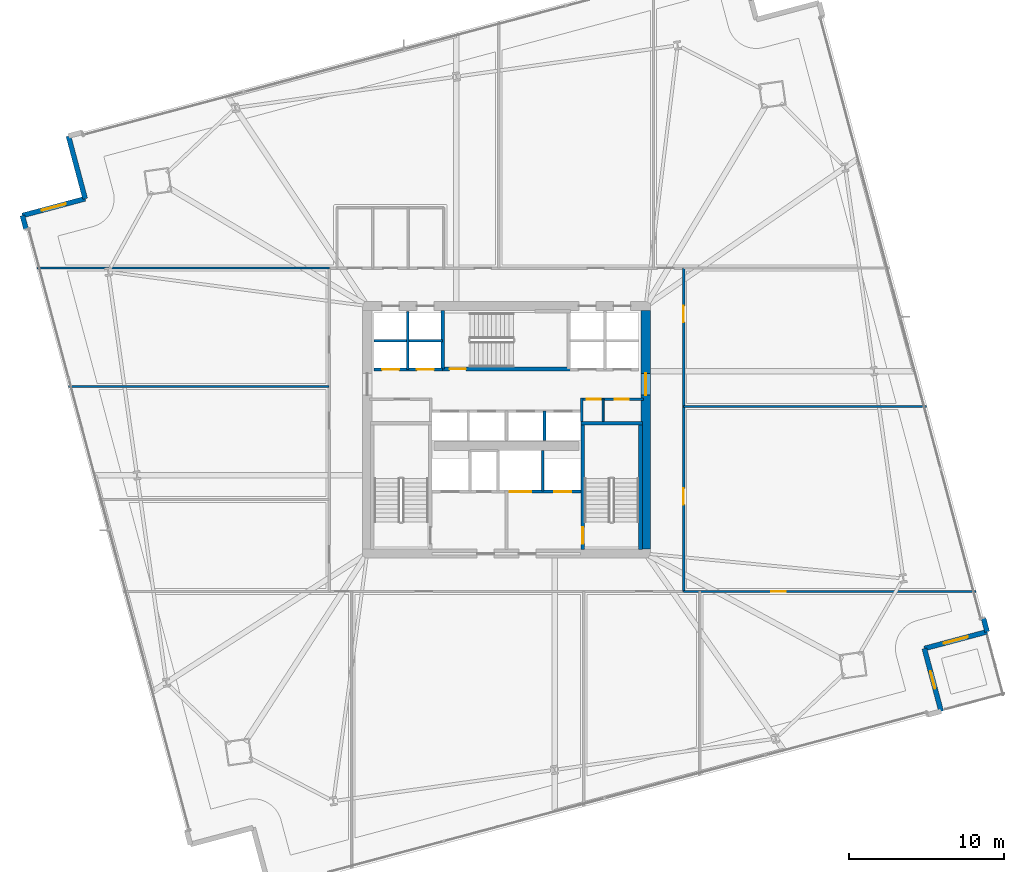
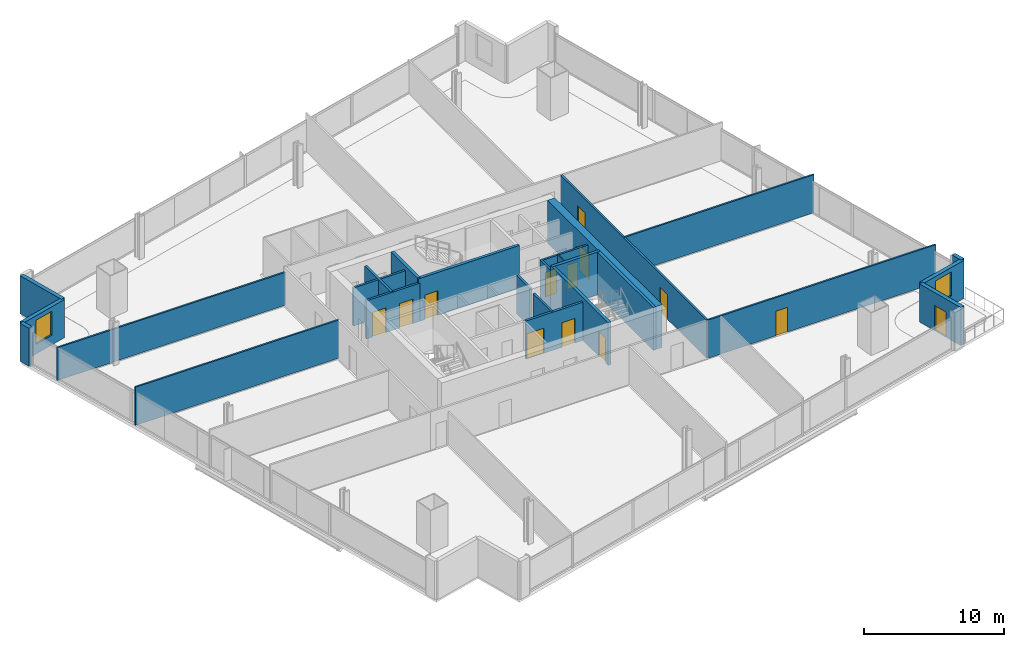
# One storey, part 26 of 33: 26 walls, 13 doors, 2 windows, 15 openings.
"""IFC4 building model written with IfcOpenShell, lengths in metres."""

from ifc_helpers import new_model, si_unit, direction, frame, frame_2d, origin, place, context, subcontext, project, spatial, rectangle, extrude, material, layer, layer_set, type_object, element, fill, save


model = new_model("IFC4")

# Units and contexts
model_context = context("Model", 3, precision=1e-05, world=origin(), true_north=direction((0.0, 1.0)))
body_context = subcontext(model_context, "Body", "Model", "MODEL_VIEW")
ifc_project = project(units=[si_unit("LENGTHUNIT", "METRE"), si_unit("AREAUNIT", "SQUARE_METRE"), si_unit("VOLUMEUNIT", "CUBIC_METRE"), si_unit("PLANEANGLEUNIT", "RADIAN"), si_unit("MASSUNIT", "GRAM", prefix="KILO")], contexts=[model_context])

# Site, building, storey
site_placement = place(None, origin())
site = spatial("IfcSite", under=ifc_project, at=site_placement, CompositionType="ELEMENT")
building_placement = place(site_placement, origin())
building = spatial("IfcBuilding", under=site, at=building_placement, Name="Haldenkirk Collegiate Tower", CompositionType="ELEMENT")
storey_placement = place(building_placement, frame((0.0, 0.0, 77.699951171875)))
storey = spatial("IfcBuildingStorey", under=building, at=storey_placement, Name="L18", CompositionType="ELEMENT", Elevation=77.699951171875)

# Wall, opening, door
ifc_material_1 = material(Name="Concrete f'c 70 MPa", Category="concrete")
ifc_layer_1 = layer(ifc_material_1, 0.60009765625)
ifc_layer_set_1 = layer_set([ifc_layer_1], Name="Concrete f'c 70 MPa")
wall_type_1 = type_object("IfcWallType", Name="WL-CORE-600", PredefinedType="SHEAR", material=ifc_layer_set_1)
wall_1_placement = place(storey_placement, frame((45.0, 18.300048828125, 0.0), z_axis=(0.0, 0.0, 1.0), x_axis=(0.0, 1.0, 0.0)))
wall_1 = element("IfcWall", 1, at=wall_1_placement, inside=storey, type_object=wall_type_1, Name="L18 central core shear wall E", PredefinedType="SHEAR", context=body_context, shape_type="SweptSolid", body=[
    extrude(rectangle(XDim=15.39990234375, YDim=0.60009765625, at=frame_2d((7.699951171875, 0.0))), origin(), (0.0, 0.0, 1.0), 3.75),
])
opening_1_placement = place(wall_1_placement, frame((9.93994140625, 0.0, 0.0)))
opening_1 = element("IfcOpeningElement", 2, at=opening_1_placement, cuts=wall_1, Name="Opening D-03", PredefinedType="OPENING", context=body_context, shape_type="SweptSolid", body=[
    extrude(rectangle(XDim=1.39990234375, YDim=2.199951171875, at=frame_2d((0.699951171875, 1.10009765625))), frame((0.0, 0.31005859375, 0.0), z_axis=(0.0, -1.0, 0.0), x_axis=(1.0, 0.0, 0.0)), (0.0, 0.0, 1.0), 0.6201171875),
])
ifc_material_2 = material(Name="Galvanized fire-rated hollow steel door", Category="steel")
ifc_layer_2 = layer(ifc_material_2, 0.06005859375)
ifc_layer_set_2 = layer_set([ifc_layer_2], Name="Galvanized fire-rated hollow steel door")
door_type_1 = type_object("IfcDoorType", Name="DR-LOBBY-FD90-1400", OperationType="NOTDEFINED", PredefinedType="DOOR", material=ifc_layer_set_2)
door_1_placement = place(opening_1_placement, origin())
door_1 = element("IfcDoor", 3, at=door_1_placement, inside=storey, type_object=door_type_1, Name="L18 east lift lobby portal", OperationType="DOUBLE_DOOR_SINGLE_SWING", OverallHeight=2.199951171875, OverallWidth=1.39990234375, PredefinedType="DOOR", context=body_context, shape_type="SweptSolid", body=[
    extrude(rectangle(XDim=1.39990234375, YDim=2.199951171875, at=frame_2d((0.699951171875, 1.10009765625))), frame((0.0, 0.02490234375, 0.0), z_axis=(0.0, -1.0, 0.0), x_axis=(1.0, 0.0, 0.0)), (0.0, 0.0, 1.0), 0.050048828125),
])
fill(opening_1, door_1)

ifc_material_3 = material(Name="Precast concrete f'c 40 MPa", Category="concrete")
ifc_layer_3 = layer(ifc_material_3, 0.320068359375)
ifc_layer_set_3 = layer_set([ifc_layer_3], Name="Precast concrete f'c 40 MPa")
wall_type_2 = type_object("IfcWallType", Name="WL-EXT-TWR-320", PredefinedType="STANDARD", material=ifc_layer_set_3)
wall_2_placement = place(storey_placement, frame((63.010986328125, 11.86474609375, 0.0), z_axis=(0.0, 0.0, 1.0), x_axis=(0.257973780849, -0.966151917865, 0.0)))
wall_2 = element("IfcWall", 4, at=wall_2_placement, inside=storey, type_object=wall_type_2, Name="L18 bronze precast notch wall 02", PredefinedType="STANDARD", context=body_context, shape_type="SweptSolid", body=[
    extrude(rectangle(XDim=4.199951171875, YDim=0.320068359375, at=frame_2d((2.10009765625, 0.0))), origin(), (0.0, 0.0, 1.0), 3.340087890625),
])
opening_2_placement = place(wall_2_placement, frame((1.52490234375, 0.0, 0.0)))
opening_2 = element("IfcOpeningElement", 5, at=opening_2_placement, cuts=wall_2, Name="Opening D-ST11", PredefinedType="OPENING", context=body_context, shape_type="SweptSolid", body=[
    extrude(rectangle(XDim=1.14990234375, YDim=2.199951171875, at=frame_2d((0.574951171875, 1.10009765625))), frame((0.0, 0.169921875, 0.0), z_axis=(0.0, -1.0, 0.0), x_axis=(1.0, 0.0, 0.0)), (0.0, 0.0, 1.0), 0.340087890625),
])
ifc_material_4 = material(Name="Anodised architectural bronze aluminium", Category="aluminium")
ifc_layer_4 = layer(ifc_material_4, 0.080078125)
ifc_layer_set_4 = layer_set([ifc_layer_4], Name="Anodised architectural bronze aluminium")
door_type_2 = type_object("IfcDoorType", Name="DR-EXT-STER-1150", OperationType="NOTDEFINED", PredefinedType="DOOR", material=ifc_layer_set_4)
door_2_placement = place(opening_2_placement, origin())
door_2 = element("IfcDoor", 6, at=door_2_placement, inside=storey, type_object=door_type_2, Name="L18 spiralling terrace door", OperationType="SINGLE_SWING_LEFT", OverallHeight=2.199951171875, OverallWidth=1.14990234375, PredefinedType="DOOR", context=body_context, shape_type="SweptSolid", body=[
    extrude(rectangle(XDim=1.14990234375, YDim=2.199951171875, at=frame_2d((0.574951171875, 1.10009765625))), frame((0.0, 0.02490234375, 0.0), z_axis=(0.0, -1.0, 0.0), x_axis=(1.0, 0.0, 0.0)), (0.0, 0.0, 1.0), 0.050048828125),
])
fill(opening_2, door_2)

# Wall, opening, window
wall_3_placement = place(storey_placement, frame((67.068603515625, 12.9482421875, 0.0), z_axis=(0.0, 0.0, 1.0), x_axis=(-0.966148049068, -0.257988269661, 0.0)))
wall_3 = element("IfcWall", 7, at=wall_3_placement, inside=storey, type_object=wall_type_2, Name="L18 bronze precast notch wall 03", PredefinedType="STANDARD", context=body_context, shape_type="SweptSolid", body=[
    extrude(rectangle(XDim=4.19970703125, YDim=0.320068359375, at=frame_2d((2.099853515625, 0.0))), origin(), (0.0, 0.0, 1.0), 3.340087890625),
])
opening_3_placement = place(wall_3_placement, frame((1.300048828125, 0.0, 0.85009765625)))
opening_3 = element("IfcOpeningElement", 8, at=opening_3_placement, cuts=wall_3, Name="Opening W-03", PredefinedType="OPENING", context=body_context, shape_type="SweptSolid", body=[
    extrude(rectangle(XDim=1.60009765625, YDim=2.10009765625, at=frame_2d((0.800048828125, 1.050048828125))), frame((0.0, 0.169921875, 0.0), z_axis=(0.0, -1.0, 0.0), x_axis=(1.0, 0.0, 0.0)), (0.0, 0.0, 1.0), 0.340087890625),
])
ifc_material_5 = material(Name="Low-E argon triple insulating glass", Category="glass")
ifc_layer_5 = layer(ifc_material_5, 0.090087890625)
ifc_layer_set_5 = layer_set([ifc_layer_5], Name="Low-E argon triple insulating glass")
window_type = type_object("IfcWindowType", Name="WN-Z1-1600X2100", PartitioningType="SINGLE_PANEL", PredefinedType="WINDOW", material=ifc_layer_set_5)
window_1_placement = place(opening_3_placement, origin())
window_1 = element("IfcWindow", 9, at=window_1_placement, inside=storey, type_object=window_type, Name="L18 precast-frame academic window 2", OverallHeight=2.10009765625, OverallWidth=1.60009765625, PartitioningType="SINGLE_PANEL", PredefinedType="WINDOW", context=body_context, shape_type="SweptSolid", body=[
    extrude(rectangle(XDim=1.60009765625, YDim=2.10009765625, at=frame_2d((0.800048828125, 1.050048828125))), frame((0.0, 0.030029296875, 0.0), z_axis=(0.0, -1.0, 0.0), x_axis=(1.0, 0.0, 0.0)), (0.0, 0.0, 1.0), 0.06005859375),
])
fill(opening_3, window_1)

# Walls
wall_4_placement = place(storey_placement, frame((66.83642578125, 13.817626953125, 0.0), z_axis=(0.0, 0.0, 1.0), x_axis=(0.258017251994, -0.966140309517, 0.0)))
element("IfcWall", 10, at=wall_4_placement, inside=storey, type_object=wall_type_2, Name="L18 precast corner pier ER", PredefinedType="STANDARD", context=body_context, shape_type="SweptSolid", body=[
    extrude(rectangle(XDim=0.89990234375, YDim=0.320068359375, at=frame_2d((0.449951171875, 0.0))), origin(), (0.0, 0.0, 1.0), 3.340087890625),
])
wall_5_placement = place(storey_placement, frame((8.7763671875, 40.932373046875, 0.0), z_axis=(0.0, 0.0, 1.0), x_axis=(-0.257973780849, 0.966151917865, 0.0)))
element("IfcWall", 11, at=wall_5_placement, inside=storey, type_object=wall_type_2, Name="L18 bronze precast notch wall 08", PredefinedType="STANDARD", context=body_context, shape_type="SweptSolid", body=[
    extrude(rectangle(XDim=4.199951171875, YDim=0.320068359375, at=frame_2d((2.10009765625, 0.0))), origin(), (0.0, 0.0, 1.0), 3.340087890625),
])

# Wall, opening, window
wall_6_placement = place(storey_placement, frame((4.718505859375, 39.848876953125, 0.0), z_axis=(0.0, 0.0, 1.0), x_axis=(0.966151917865, 0.257973780849, 0.0)))
wall_6 = element("IfcWall", 12, at=wall_6_placement, inside=storey, type_object=wall_type_2, Name="L18 bronze precast notch wall 09", PredefinedType="STANDARD", context=body_context, shape_type="SweptSolid", body=[
    extrude(rectangle(XDim=4.199951171875, YDim=0.320068359375, at=frame_2d((2.10009765625, 0.0))), origin(), (0.0, 0.0, 1.0), 3.340087890625),
])
opening_4_placement = place(wall_6_placement, frame((1.300048828125, 0.0, 0.85009765625)))
opening_4 = element("IfcOpeningElement", 13, at=opening_4_placement, cuts=wall_6, Name="Opening W-03", PredefinedType="OPENING", context=body_context, shape_type="SweptSolid", body=[
    extrude(rectangle(XDim=1.60009765625, YDim=2.10009765625, at=frame_2d((0.800048828125, 1.050048828125))), frame((0.0, 0.169921875, 0.0), z_axis=(0.0, -1.0, 0.0), x_axis=(1.0, 0.0, 0.0)), (0.0, 0.0, 1.0), 0.340087890625),
])
window_2_placement = place(opening_4_placement, origin())
window_2 = element("IfcWindow", 14, at=window_2_placement, inside=storey, type_object=window_type, Name="L18 precast-frame academic window 8", OverallHeight=2.10009765625, OverallWidth=1.60009765625, PartitioningType="SINGLE_PANEL", PredefinedType="WINDOW", context=body_context, shape_type="SweptSolid", body=[
    extrude(rectangle(XDim=1.60009765625, YDim=2.10009765625, at=frame_2d((0.800048828125, 1.050048828125))), frame((0.0, 0.030029296875, 0.0), z_axis=(0.0, -1.0, 0.0), x_axis=(1.0, 0.0, 0.0)), (0.0, 0.0, 1.0), 0.06005859375),
])
fill(opening_4, window_2)

# Wall
wall_7_placement = place(storey_placement, frame((4.95068359375, 38.9794921875, 0.0), z_axis=(0.0, 0.0, 1.0), x_axis=(-0.258017251994, 0.966140309517, 0.0)))
element("IfcWall", 15, at=wall_7_placement, inside=storey, type_object=wall_type_2, Name="L18 precast corner pier WR", PredefinedType="STANDARD", context=body_context, shape_type="SweptSolid", body=[
    extrude(rectangle(XDim=0.89990234375, YDim=0.320068359375, at=frame_2d((0.449951171875, 0.0))), origin(), (0.0, 0.0, 1.0), 3.340087890625),
])

# Wall, openings, doors
ifc_material_6 = material(Name="Acoustic fire-rated gypsum partition", Category="concrete")
ifc_layer_6 = layer(ifc_material_6, 0.159912109375)
ifc_layer_set_6 = layer_set([ifc_layer_6], Name="Acoustic fire-rated gypsum partition")
wall_type_3 = type_object("IfcWallType", Name="WL-INT-CORR-160", PredefinedType="PARTITIONING", material=ifc_layer_set_6)
wall_8_placement = place(storey_placement, frame((40.800048828125, 27.97998046875, 0.0), z_axis=(0.0, 0.0, 1.0), x_axis=(1.0, 0.0, 0.0)))
wall_8 = element("IfcWall", 16, at=wall_8_placement, inside=storey, type_object=wall_type_3, Name="L18 interior partition IW-L18-VCSE-N", PredefinedType="PARTITIONING", context=body_context, shape_type="SweptSolid", body=[
    extrude(rectangle(XDim=4.050048828125, YDim=0.159912109375, at=frame_2d((2.02490234375, 0.0))), origin(), (0.0, 0.0, 1.0), 3.340087890625),
])
opening_5_placement = place(wall_8_placement, frame((0.407470703125, 0.0, 0.0)))
opening_5 = element("IfcOpeningElement", 17, at=opening_5_placement, cuts=wall_8, Name="Opening D-11", PredefinedType="OPENING", context=body_context, shape_type="SweptSolid", body=[
    extrude(rectangle(XDim=0.89990234375, YDim=2.14990234375, at=frame_2d((0.449951171875, 1.074951171875))), frame((0.0, 0.08984375, 0.0), z_axis=(0.0, -1.0, 0.0), x_axis=(1.0, 0.0, 0.0)), (0.0, 0.0, 1.0), 0.179931640625),
])
opening_6_placement = place(wall_8_placement, frame((2.199951171875, 0.0, 0.0)))
opening_6 = element("IfcOpeningElement", 18, at=opening_6_placement, cuts=wall_8, Name="Opening D-11", PredefinedType="OPENING", context=body_context, shape_type="SweptSolid", body=[
    extrude(rectangle(XDim=0.89990234375, YDim=2.14990234375, at=frame_2d((0.449951171875, 1.074951171875))), frame((0.0, 0.08984375, 0.0), z_axis=(0.0, -1.0, 0.0), x_axis=(1.0, 0.0, 0.0)), (0.0, 0.0, 1.0), 0.179931640625),
])
ifc_material_7 = material(Name="Solid-core architectural oak fire door", Category="wood")
ifc_layer_7 = layer(ifc_material_7, 0.06005859375)
ifc_layer_set_7 = layer_set([ifc_layer_7], Name="Solid-core architectural oak fire door")
door_type_3 = type_object("IfcDoorType", Name="DR-INT-FD60-900", OperationType="NOTDEFINED", PredefinedType="DOOR", material=ifc_layer_set_7)
door_3_placement = place(opening_5_placement, origin())
door_3 = element("IfcDoor", 19, at=door_3_placement, inside=storey, type_object=door_type_3, Name="L18 core copy room door", OperationType="SINGLE_SWING_RIGHT", OverallHeight=2.14990234375, OverallWidth=0.89990234375, PredefinedType="DOOR", context=body_context, shape_type="SweptSolid", body=[
    extrude(rectangle(XDim=0.89990234375, YDim=2.14990234375, at=frame_2d((0.449951171875, 1.074951171875))), frame((0.0, 0.02490234375, 0.0), z_axis=(0.0, -1.0, 0.0), x_axis=(1.0, 0.0, 0.0)), (0.0, 0.0, 1.0), 0.050048828125),
])
fill(opening_5, door_3)
door_4_placement = place(opening_6_placement, origin())
door_4 = element("IfcDoor", 20, at=door_4_placement, inside=storey, type_object=door_type_3, Name="L18 core records store door", OperationType="SINGLE_SWING_LEFT", OverallHeight=2.14990234375, OverallWidth=0.89990234375, PredefinedType="DOOR", context=body_context, shape_type="SweptSolid", body=[
    extrude(rectangle(XDim=0.89990234375, YDim=2.14990234375, at=frame_2d((0.449951171875, 1.074951171875))), frame((0.0, 0.02490234375, 0.0), z_axis=(0.0, -1.0, 0.0), x_axis=(1.0, 0.0, 0.0)), (0.0, 0.0, 1.0), 0.050048828125),
])
fill(opening_6, door_4)

# Wall
wall_9_placement = place(storey_placement, frame((40.8798828125, 26.5400390625, 0.0), z_axis=(0.0, 0.0, 1.0), x_axis=(0.0, 1.0, 0.0)))
element("IfcWall", 21, at=wall_9_placement, inside=storey, type_object=wall_type_3, Name="L18 interior partition IW-L18-VCSE-W", PredefinedType="PARTITIONING", context=body_context, shape_type="SweptSolid", body=[
    extrude(rectangle(XDim=1.510009765625, YDim=0.159912109375, at=frame_2d((0.7548828125, 0.0))), origin(), (0.0, 0.0, 1.0), 3.340087890625),
])

# Wall, openings, doors
wall_10_placement = place(storey_placement, frame((47.449951171875, 15.550048828125, 0.0), z_axis=(0.0, 0.0, 1.0), x_axis=(0.0, 1.0, 0.0)))
wall_10 = element("IfcWall", 22, at=wall_10_placement, inside=storey, type_object=wall_type_3, Name="L18 interior partition IW-L18-CE", PredefinedType="PARTITIONING", context=body_context, shape_type="SweptSolid", body=[
    extrude(rectangle(XDim=20.89990234375, YDim=0.159912109375, at=frame_2d((10.449951171875, 0.0))), origin(), (0.0, 0.0, 1.0), 3.340087890625),
])
opening_7_placement = place(wall_10_placement, frame((5.615966796875, 0.0, 0.0)))
opening_7 = element("IfcOpeningElement", 23, at=opening_7_placement, cuts=wall_10, Name="Opening D-09", PredefinedType="OPENING", context=body_context, shape_type="SweptSolid", body=[
    extrude(rectangle(XDim=1.050048828125, YDim=2.14990234375, at=frame_2d((0.52490234375, 1.074951171875))), frame((0.0, 0.08984375, 0.0), z_axis=(0.0, -1.0, 0.0), x_axis=(1.0, 0.0, 0.0)), (0.0, 0.0, 1.0), 0.179931640625),
])
opening_8_placement = place(wall_10_placement, frame((17.405029296875, 0.0, 0.0)))
opening_8 = element("IfcOpeningElement", 24, at=opening_8_placement, cuts=wall_10, Name="Opening D-09", PredefinedType="OPENING", context=body_context, shape_type="SweptSolid", body=[
    extrude(rectangle(XDim=1.050048828125, YDim=2.14990234375, at=frame_2d((0.52490234375, 1.074951171875))), frame((0.0, 0.08984375, 0.0), z_axis=(0.0, -1.0, 0.0), x_axis=(1.0, 0.0, 0.0)), (0.0, 0.0, 1.0), 0.179931640625),
])
ifc_layer_8 = layer(ifc_material_7, 0.06005859375)
ifc_layer_set_8 = layer_set([ifc_layer_8], Name="Solid-core architectural oak fire door")
door_type_4 = type_object("IfcDoorType", Name="DR-INT-FD60-1050", OperationType="NOTDEFINED", PredefinedType="DOOR", material=ifc_layer_set_8)
door_5_placement = place(opening_7_placement, origin())
door_5 = element("IfcDoor", 25, at=door_5_placement, inside=storey, type_object=door_type_4, Name="L18 Urbanism Pin-Up Studio 11 door", OperationType="SINGLE_SWING_LEFT", OverallHeight=2.14990234375, OverallWidth=1.050048828125, PredefinedType="DOOR", context=body_context, shape_type="SweptSolid", body=[
    extrude(rectangle(XDim=1.050048828125, YDim=2.14990234375, at=frame_2d((0.52490234375, 1.074951171875))), frame((0.0, 0.02490234375, 0.0), z_axis=(0.0, -1.0, 0.0), x_axis=(1.0, 0.0, 0.0)), (0.0, 0.0, 1.0), 0.050048828125),
])
fill(opening_7, door_5)
door_6_placement = place(opening_8_placement, origin())
door_6 = element("IfcDoor", 26, at=door_6_placement, inside=storey, type_object=door_type_4, Name="L18 Exhibition Gallery Studio 12 door", OperationType="SINGLE_SWING_RIGHT", OverallHeight=2.14990234375, OverallWidth=1.050048828125, PredefinedType="DOOR", context=body_context, shape_type="SweptSolid", body=[
    extrude(rectangle(XDim=1.050048828125, YDim=2.14990234375, at=frame_2d((0.52490234375, 1.074951171875))), frame((0.0, 0.02490234375, 0.0), z_axis=(0.0, -1.0, 0.0), x_axis=(1.0, 0.0, 0.0)), (0.0, 0.0, 1.0), 0.050048828125),
])
fill(opening_8, door_6)

# Wall
ifc_layer_9 = layer(ifc_material_6, 0.139892578125)
ifc_layer_set_9 = layer_set([ifc_layer_9], Name="Acoustic fire-rated gypsum partition")
wall_type_4 = type_object("IfcWallType", Name="WL-INT-DIV-140", PredefinedType="PARTITIONING", material=ifc_layer_set_9)
wall_11_placement = place(storey_placement, frame((5.66748046875, 36.449951171875, 0.0), z_axis=(0.0, 0.0, 1.0), x_axis=(1.0, 0.0, 0.0)))
element("IfcWall", 27, at=wall_11_placement, inside=storey, type_object=wall_type_4, Name="L18 interior partition IW-L18-BWN", PredefinedType="PARTITIONING", context=body_context, shape_type="SweptSolid", body=[
    extrude(rectangle(XDim=18.882568359375, YDim=0.139892578125, at=frame_2d((9.44140625, 0.0))), origin(), (0.0, 0.0, 1.0), 2.8720703125),
])

# Wall, opening, door
wall_12_placement = place(storey_placement, frame((47.449951171875, 15.550048828125, 0.0), z_axis=(0.0, 0.0, 1.0), x_axis=(1.0, 0.0, 0.0)))
wall_12 = element("IfcWall", 28, at=wall_12_placement, inside=storey, type_object=wall_type_4, Name="L18 interior partition IW-L18-BES", PredefinedType="PARTITIONING", context=body_context, shape_type="SweptSolid", body=[
    extrude(rectangle(XDim=18.882568359375, YDim=0.139892578125, at=frame_2d((9.44140625, 0.0))), origin(), (0.0, 0.0, 1.0), 3.340087890625),
])
opening_9_placement = place(wall_12_placement, frame((5.654052734375, 0.0, 0.0)))
opening_9 = element("IfcOpeningElement", 29, at=opening_9_placement, cuts=wall_12, Name="Opening D-12", PredefinedType="OPENING", context=body_context, shape_type="SweptSolid", body=[
    extrude(rectangle(XDim=0.949951171875, YDim=2.14990234375, at=frame_2d((0.47509765625, 1.074951171875))), frame((0.0, 0.079833984375, 0.0), z_axis=(0.0, -1.0, 0.0), x_axis=(1.0, 0.0, 0.0)), (0.0, 0.0, 1.0), 0.159912109375),
])
ifc_layer_10 = layer(ifc_material_7, 0.06005859375)
ifc_layer_set_10 = layer_set([ifc_layer_10], Name="Solid-core architectural oak fire door")
door_type_5 = type_object("IfcDoorType", Name="DR-INT-STD-950", OperationType="NOTDEFINED", PredefinedType="DOOR", material=ifc_layer_set_10)
door_7_placement = place(opening_9_placement, origin())
door_7 = element("IfcDoor", 30, at=door_7_placement, inside=storey, type_object=door_type_5, Name="L18 Architectural Crit Studio 4 door", OperationType="SINGLE_SWING_RIGHT", OverallHeight=2.14990234375, OverallWidth=0.949951171875, PredefinedType="DOOR", context=body_context, shape_type="SweptSolid", body=[
    extrude(rectangle(XDim=0.949951171875, YDim=2.14990234375, at=frame_2d((0.47509765625, 1.074951171875))), frame((0.0, 0.02490234375, 0.0), z_axis=(0.0, -1.0, 0.0), x_axis=(1.0, 0.0, 0.0)), (0.0, 0.0, 1.0), 0.050048828125),
])
fill(opening_9, door_7)

# Walls
wall_13_placement = place(storey_placement, frame((7.710205078125, 28.800048828125, 0.0), z_axis=(0.0, 0.0, 1.0), x_axis=(1.0, 0.0, 0.0)))
element("IfcWall", 31, at=wall_13_placement, inside=storey, type_object=wall_type_4, Name="L18 interior partition IW-L18-RW2", PredefinedType="PARTITIONING", context=body_context, shape_type="SweptSolid", body=[
    extrude(rectangle(XDim=16.83984375, YDim=0.139892578125, at=frame_2d((8.419921875, 0.0))), origin(), (0.0, 0.0, 1.0), 3.340087890625),
])
wall_14_placement = place(storey_placement, frame((47.449951171875, 27.5, 0.0), z_axis=(0.0, 0.0, 1.0), x_axis=(1.0, 0.0, 0.0)))
element("IfcWall", 32, at=wall_14_placement, inside=storey, type_object=wall_type_4, Name="L18 interior partition IW-L18-RE1", PredefinedType="PARTITIONING", context=body_context, shape_type="SweptSolid", body=[
    extrude(rectangle(XDim=15.691650390625, YDim=0.139892578125, at=frame_2d((7.845703125, 0.0))), origin(), (0.0, 0.0, 1.0), 3.340087890625),
])
ifc_material_8 = material(Name="Fire-rated gypsum shaftboard assembly", Category="concrete")
ifc_layer_11 = layer(ifc_material_8, 0.179931640625)
ifc_layer_set_11 = layer_set([ifc_layer_11], Name="Fire-rated gypsum shaftboard assembly")
wall_type_5 = type_object("IfcWallType", Name="WL-INT-SHAFT-180", PredefinedType="PARTITIONING", material=ifc_layer_set_11)
wall_15_placement = place(storey_placement, frame((38.35009765625, 22.050048828125, 0.0), z_axis=(0.0, 0.0, 1.0), x_axis=(0.0, 1.0, 0.0)))
element("IfcWall", 33, at=wall_15_placement, inside=storey, type_object=wall_type_5, Name="L18 interior partition IW-L18-GL1E", PredefinedType="PARTITIONING", context=body_context, shape_type="SweptSolid", body=[
    extrude(rectangle(XDim=2.599853515625, YDim=0.179931640625, at=frame_2d((1.2998046875, 0.0))), origin(), (0.0, 0.0, 1.0), 3.340087890625),
])

# Wall, openings, doors
wall_16_placement = place(storey_placement, frame((27.449951171875, 29.89990234375, 0.0), z_axis=(0.0, 0.0, 1.0), x_axis=(1.0, 0.0, 0.0)))
wall_16 = element("IfcWall", 34, at=wall_16_placement, inside=storey, type_object=wall_type_5, Name="L18 interior partition IW-L18-PLS", PredefinedType="PARTITIONING", context=body_context, shape_type="SweptSolid", body=[
    extrude(rectangle(XDim=4.429931640625, YDim=0.179931640625, at=frame_2d((2.21484375, 0.0))), origin(), (0.0, 0.0, 1.0), 3.340087890625),
])
opening_10_placement = place(wall_16_placement, frame((0.514892578125, 0.0, 0.0)))
opening_10 = element("IfcOpeningElement", 35, at=opening_10_placement, cuts=wall_16, Name="Opening LD-11", PredefinedType="OPENING", context=body_context, shape_type="SweptSolid", body=[
    extrude(rectangle(XDim=1.10009765625, YDim=2.14990234375, at=frame_2d((0.550048828125, 1.074951171875))), frame((0.0, 0.099853515625, 0.0), z_axis=(0.0, -1.0, 0.0), x_axis=(1.0, 0.0, 0.0)), (0.0, 0.0, 1.0), 0.199951171875),
])
opening_11_placement = place(wall_16_placement, frame((2.764892578125, 0.0, 0.0)))
opening_11 = element("IfcOpeningElement", 36, at=opening_11_placement, cuts=wall_16, Name="Opening LD-11", PredefinedType="OPENING", context=body_context, shape_type="SweptSolid", body=[
    extrude(rectangle(XDim=1.10009765625, YDim=2.14990234375, at=frame_2d((0.550048828125, 1.074951171875))), frame((0.0, 0.099853515625, 0.0), z_axis=(0.0, -1.0, 0.0), x_axis=(1.0, 0.0, 0.0)), (0.0, 0.0, 1.0), 0.199951171875),
])
ifc_material_9 = material(Name="Brushed architectural stainless steel", Category="steel")
ifc_layer_12 = layer(ifc_material_9, 0.06005859375)
ifc_layer_set_12 = layer_set([ifc_layer_12], Name="Brushed architectural stainless steel")
door_type_6 = type_object("IfcDoorType", Name="LD-PASS-1100", OperationType="NOTDEFINED", PredefinedType="DOOR", material=ifc_layer_set_12)
door_8_placement = place(opening_10_placement, origin())
door_8 = element("IfcDoor", 37, at=door_8_placement, inside=storey, type_object=door_type_6, Name="L18 Elevator PL1 sliding landing door", OperationType="SLIDING_TO_LEFT", OverallHeight=2.14990234375, OverallWidth=1.10009765625, PredefinedType="DOOR", context=body_context, shape_type="SweptSolid", body=[
    extrude(rectangle(XDim=1.10009765625, YDim=2.14990234375, at=frame_2d((0.550048828125, 1.074951171875))), frame((0.0, 0.02490234375, 0.0), z_axis=(0.0, -1.0, 0.0), x_axis=(1.0, 0.0, 0.0)), (0.0, 0.0, 1.0), 0.050048828125),
])
fill(opening_10, door_8)
door_9_placement = place(opening_11_placement, origin())
door_9 = element("IfcDoor", 38, at=door_9_placement, inside=storey, type_object=door_type_6, Name="L18 Elevator PL2 sliding landing door", OperationType="SLIDING_TO_LEFT", OverallHeight=2.14990234375, OverallWidth=1.10009765625, PredefinedType="DOOR", context=body_context, shape_type="SweptSolid", body=[
    extrude(rectangle(XDim=1.10009765625, YDim=2.14990234375, at=frame_2d((0.550048828125, 1.074951171875))), frame((0.0, 0.02490234375, 0.0), z_axis=(0.0, -1.0, 0.0), x_axis=(1.0, 0.0, 0.0)), (0.0, 0.0, 1.0), 0.050048828125),
])
fill(opening_11, door_9)

# Walls
wall_17_placement = place(storey_placement, frame((27.449951171875, 31.75, 0.0), z_axis=(0.0, 0.0, 1.0), x_axis=(1.0, 0.0, 0.0)))
element("IfcWall", 39, at=wall_17_placement, inside=storey, type_object=wall_type_5, Name="L18 interior partition IW-L18-PLM", PredefinedType="PARTITIONING", context=body_context, shape_type="SweptSolid", body=[
    extrude(rectangle(XDim=4.429931640625, YDim=0.179931640625, at=frame_2d((2.21484375, 0.0))), origin(), (0.0, 0.0, 1.0), 3.340087890625),
])
wall_18_placement = place(storey_placement, frame((29.6298828125, 29.89990234375, 0.0), z_axis=(0.0, 0.0, 1.0), x_axis=(0.0, 1.0, 0.0)))
element("IfcWall", 40, at=wall_18_placement, inside=storey, type_object=wall_type_5, Name="L18 interior partition IW-L18-PLV", PredefinedType="PARTITIONING", context=body_context, shape_type="SweptSolid", body=[
    extrude(rectangle(XDim=3.75, YDim=0.179931640625, at=frame_2d((1.875, 0.0))), origin(), (0.0, 0.0, 1.0), 3.340087890625),
])
wall_19_placement = place(storey_placement, frame((38.4599609375, 25.300048828125, 0.0), z_axis=(0.0, 0.0, 1.0), x_axis=(0.0, 1.0, 0.0)))
element("IfcWall", 41, at=wall_19_placement, inside=storey, type_object=wall_type_5, Name="L18 interior partition IW-L18-PHV3", PredefinedType="PARTITIONING", context=body_context, shape_type="SweptSolid", body=[
    extrude(rectangle(XDim=1.89990234375, YDim=0.179931640625, at=frame_2d((0.949951171875, 0.0))), origin(), (0.0, 0.0, 1.0), 3.340087890625),
])

# Wall, openings, doors
ifc_layer_13 = layer(ifc_material_8, 0.199951171875)
ifc_layer_set_13 = layer_set([ifc_layer_13], Name="Fire-rated gypsum shaftboard assembly")
wall_type_6 = type_object("IfcWallType", Name="WL-INT-SHAFT-200", PredefinedType="PARTITIONING", material=ifc_layer_set_13)
wall_20_placement = place(storey_placement, frame((36.1201171875, 22.0, 0.0), z_axis=(0.0, 0.0, 1.0), x_axis=(1.0, 0.0, 0.0)))
wall_20 = element("IfcWall", 42, at=wall_20_placement, inside=storey, type_object=wall_type_6, Name="L18 interior partition IW-L18-FFL2N", PredefinedType="PARTITIONING", context=body_context, shape_type="SweptSolid", body=[
    extrude(rectangle(XDim=4.68994140625, YDim=0.199951171875, at=frame_2d((2.344970703125, 0.0))), origin(), (0.0, 0.0, 1.0), 3.340087890625),
])
opening_12_placement = place(wall_20_placement, frame((2.955078125, 0.0, 0.0)))
opening_12 = element("IfcOpeningElement", 43, at=opening_12_placement, cuts=wall_20, Name="Opening LD-12", PredefinedType="OPENING", context=body_context, shape_type="SweptSolid", body=[
    extrude(rectangle(XDim=1.10009765625, YDim=2.14990234375, at=frame_2d((0.550048828125, 1.074951171875))), frame((0.0, 0.10986328125, 0.0), z_axis=(0.0, -1.0, 0.0), x_axis=(1.0, 0.0, 0.0)), (0.0, 0.0, 1.0), 0.219970703125),
])
opening_13_placement = place(wall_20_placement, frame((0.080078125, 0.0, 0.0)))
opening_13 = element("IfcOpeningElement", 44, at=opening_13_placement, cuts=wall_20, Name="Opening LD-13", PredefinedType="OPENING", context=body_context, shape_type="SweptSolid", body=[
    extrude(rectangle(XDim=1.39990234375, YDim=2.199951171875, at=frame_2d((0.699951171875, 1.10009765625))), frame((0.0, 0.10986328125, 0.0), z_axis=(0.0, -1.0, 0.0), x_axis=(1.0, 0.0, 0.0)), (0.0, 0.0, 1.0), 0.219970703125),
])
ifc_layer_14 = layer(ifc_material_9, 0.06005859375)
ifc_layer_set_14 = layer_set([ifc_layer_14], Name="Brushed architectural stainless steel")
door_type_7 = type_object("IfcDoorType", Name="LD-FIRE-1100", OperationType="NOTDEFINED", PredefinedType="DOOR", material=ifc_layer_set_14)
door_10_placement = place(opening_12_placement, origin())
door_10 = element("IfcDoor", 45, at=door_10_placement, inside=storey, type_object=door_type_7, Name="L18 Elevator FL2 sliding landing door", OperationType="SLIDING_TO_LEFT", OverallHeight=2.14990234375, OverallWidth=1.10009765625, PredefinedType="DOOR", context=body_context, shape_type="SweptSolid", body=[
    extrude(rectangle(XDim=1.10009765625, YDim=2.14990234375, at=frame_2d((0.550048828125, 1.074951171875))), frame((0.0, 0.02490234375, 0.0), z_axis=(0.0, -1.0, 0.0), x_axis=(1.0, 0.0, 0.0)), (0.0, 0.0, 1.0), 0.050048828125),
])
fill(opening_12, door_10)
ifc_layer_15 = layer(ifc_material_9, 0.06005859375)
ifc_layer_set_15 = layer_set([ifc_layer_15], Name="Brushed architectural stainless steel")
door_type_8 = type_object("IfcDoorType", Name="LD-GOODS-1400", OperationType="NOTDEFINED", PredefinedType="DOOR", material=ifc_layer_set_15)
door_11_placement = place(opening_13_placement, origin())
door_11 = element("IfcDoor", 46, at=door_11_placement, inside=storey, type_object=door_type_8, Name="L18 Elevator GL1 sliding landing door", OperationType="SLIDING_TO_LEFT", OverallHeight=2.199951171875, OverallWidth=1.39990234375, PredefinedType="DOOR", context=body_context, shape_type="SweptSolid", body=[
    extrude(rectangle(XDim=1.39990234375, YDim=2.199951171875, at=frame_2d((0.699951171875, 1.10009765625))), frame((0.0, 0.02490234375, 0.0), z_axis=(0.0, -1.0, 0.0), x_axis=(1.0, 0.0, 0.0)), (0.0, 0.0, 1.0), 0.050048828125),
])
fill(opening_13, door_11)

# Wall
ifc_layer_16 = layer(ifc_material_6, 0.1201171875)
ifc_layer_set_16 = layer_set([ifc_layer_16], Name="Acoustic fire-rated gypsum partition")
wall_type_7 = type_object("IfcWallType", Name="WL-INT-WET-120", PredefinedType="PARTITIONING", material=ifc_layer_set_16)
wall_21_placement = place(storey_placement, frame((42.25, 26.5400390625, 0.0), z_axis=(0.0, 0.0, 1.0), x_axis=(0.0, 1.0, 0.0)))
element("IfcWall", 47, at=wall_21_placement, inside=storey, type_object=wall_type_7, Name="L18 interior partition IW-L18-VCSE-M", PredefinedType="PARTITIONING", context=body_context, shape_type="SweptSolid", body=[
    extrude(rectangle(XDim=1.43994140625, YDim=0.1201171875, at=frame_2d((0.719970703125, 0.0))), origin(), (0.0, 0.0, 1.0), 3.340087890625),
])

# Wall, opening, door
ifc_material_10 = material(Name="Concrete f'c 55 MPa", Category="concrete")
ifc_layer_17 = layer(ifc_material_10, 0.239990234375)
ifc_layer_set_17 = layer_set([ifc_layer_17], Name="Concrete f'c 55 MPa")
wall_type_8 = type_object("IfcWallType", Name="WL-SHAFT-240", PredefinedType="SHEAR", material=ifc_layer_set_17)
wall_22_placement = place(storey_placement, frame((40.929931640625, 18.280029296875, 0.0), z_axis=(0.0, 0.0, 1.0), x_axis=(0.0, 1.0, 0.0)))
wall_22 = element("IfcWall", 48, at=wall_22_placement, inside=storey, type_object=wall_type_8, Name="L18 stair shaft shear wall SW-L18-ST2W", PredefinedType="SHEAR", context=body_context, shape_type="SweptSolid", body=[
    extrude(rectangle(XDim=8.260009765625, YDim=0.239990234375, at=frame_2d((4.1298828125, 0.0))), origin(), (0.0, 0.0, 1.0), 3.75),
])
opening_14_placement = place(wall_22_placement, frame((0.364990234375, 0.0, 0.0)))
opening_14 = element("IfcOpeningElement", 49, at=opening_14_placement, cuts=wall_22, Name="Opening D-01", PredefinedType="OPENING", context=body_context, shape_type="SweptSolid", body=[
    extrude(rectangle(XDim=1.050048828125, YDim=2.14990234375, at=frame_2d((0.52490234375, 1.074951171875))), frame((0.0, 0.1298828125, 0.0), z_axis=(0.0, -1.0, 0.0), x_axis=(1.0, 0.0, 0.0)), (0.0, 0.0, 1.0), 0.260009765625),
])
ifc_layer_18 = layer(ifc_material_2, 0.06005859375)
ifc_layer_set_18 = layer_set([ifc_layer_18], Name="Galvanized fire-rated hollow steel door")
door_type_9 = type_object("IfcDoorType", Name="DR-STAIR-FD90-1050", OperationType="NOTDEFINED", PredefinedType="DOOR", material=ifc_layer_set_18)
door_12_placement = place(opening_14_placement, origin())
door_12 = element("IfcDoor", 50, at=door_12_placement, inside=storey, type_object=door_type_9, Name="L18 Stair 2 door", OperationType="SINGLE_SWING_RIGHT", OverallHeight=2.14990234375, OverallWidth=1.050048828125, PredefinedType="DOOR", context=body_context, shape_type="SweptSolid", body=[
    extrude(rectangle(XDim=1.050048828125, YDim=2.14990234375, at=frame_2d((0.52490234375, 1.074951171875))), frame((0.0, 0.02490234375, 0.0), z_axis=(0.0, -1.0, 0.0), x_axis=(1.0, 0.0, 0.0)), (0.0, 0.0, 1.0), 0.050048828125),
])
fill(opening_14, door_12)

# Walls
wall_23_placement = place(storey_placement, frame((40.81005859375, 26.419921875, 0.0), z_axis=(0.0, 0.0, 1.0), x_axis=(1.0, 0.0, 0.0)))
element("IfcWall", 51, at=wall_23_placement, inside=storey, type_object=wall_type_8, Name="L18 stair shaft shear wall SW-L18-ST2N", PredefinedType="SHEAR", context=body_context, shape_type="SweptSolid", body=[
    extrude(rectangle(XDim=3.97998046875, YDim=0.239990234375, at=frame_2d((1.989990234375, 0.0))), origin(), (0.0, 0.0, 1.0), 3.75),
])
wall_24_placement = place(storey_placement, frame((44.669921875, 18.280029296875, 0.0), z_axis=(0.0, 0.0, 1.0), x_axis=(0.0, 1.0, 0.0)))
element("IfcWall", 52, at=wall_24_placement, inside=storey, type_object=wall_type_8, Name="L18 stair shaft shear wall SW-L18-ST2E", PredefinedType="SHEAR", context=body_context, shape_type="SweptSolid", body=[
    extrude(rectangle(XDim=8.260009765625, YDim=0.239990234375, at=frame_2d((4.1298828125, 0.0))), origin(), (0.0, 0.0, 1.0), 3.75),
])

# Wall, opening, door
wall_25_placement = place(storey_placement, frame((31.760009765625, 29.929931640625, 0.0), z_axis=(0.0, 0.0, 1.0), x_axis=(1.0, 0.0, 0.0)))
wall_25 = element("IfcWall", 53, at=wall_25_placement, inside=storey, type_object=wall_type_8, Name="L18 stair shaft shear wall SW-L18-ST3S", PredefinedType="SHEAR", context=body_context, shape_type="SweptSolid", body=[
    extrude(rectangle(XDim=8.3798828125, YDim=0.239990234375, at=frame_2d((4.18994140625, 0.0))), origin(), (0.0, 0.0, 1.0), 3.75),
])
opening_15_placement = place(wall_25_placement, frame((0.56494140625, 0.0, 0.0)))
opening_15 = element("IfcOpeningElement", 54, at=opening_15_placement, cuts=wall_25, Name="Opening D-01", PredefinedType="OPENING", context=body_context, shape_type="SweptSolid", body=[
    extrude(rectangle(XDim=1.050048828125, YDim=2.14990234375, at=frame_2d((0.52490234375, 1.074951171875))), frame((0.0, 0.1298828125, 0.0), z_axis=(0.0, -1.0, 0.0), x_axis=(1.0, 0.0, 0.0)), (0.0, 0.0, 1.0), 0.260009765625),
])
door_13_placement = place(opening_15_placement, origin())
door_13 = element("IfcDoor", 55, at=door_13_placement, inside=storey, type_object=door_type_9, Name="L18 lift lobby Stair 3 door", OperationType="SINGLE_SWING_RIGHT", OverallHeight=2.14990234375, OverallWidth=1.050048828125, PredefinedType="DOOR", context=body_context, shape_type="SweptSolid", body=[
    extrude(rectangle(XDim=1.050048828125, YDim=2.14990234375, at=frame_2d((0.52490234375, 1.074951171875))), frame((0.0, 0.02490234375, 0.0), z_axis=(0.0, -1.0, 0.0), x_axis=(1.0, 0.0, 0.0)), (0.0, 0.0, 1.0), 0.050048828125),
])
fill(opening_15, door_13)

# Wall
wall_26_placement = place(storey_placement, frame((31.8798828125, 29.929931640625, 0.0), z_axis=(0.0, 0.0, 1.0), x_axis=(0.0, 1.0, 0.0)))
element("IfcWall", 56, at=wall_26_placement, inside=storey, type_object=wall_type_8, Name="L18 stair shaft shear wall SW-L18-ST3W", PredefinedType="SHEAR", context=body_context, shape_type="SweptSolid", body=[
    extrude(rectangle(XDim=3.7900390625, YDim=0.239990234375, at=frame_2d((1.89501953125, 0.0))), origin(), (0.0, 0.0, 1.0), 3.75),
])

save(model, "model.ifc")
